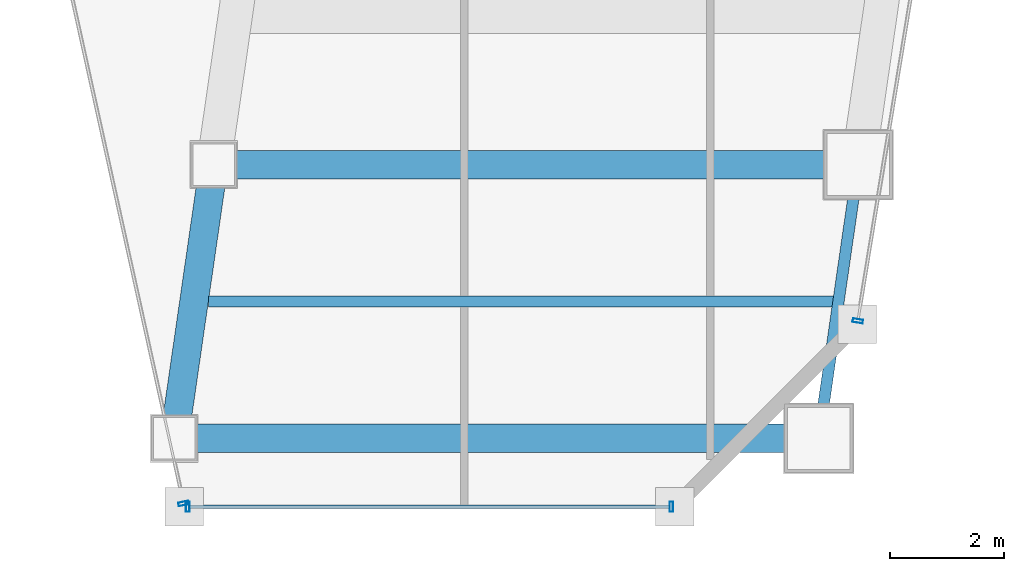
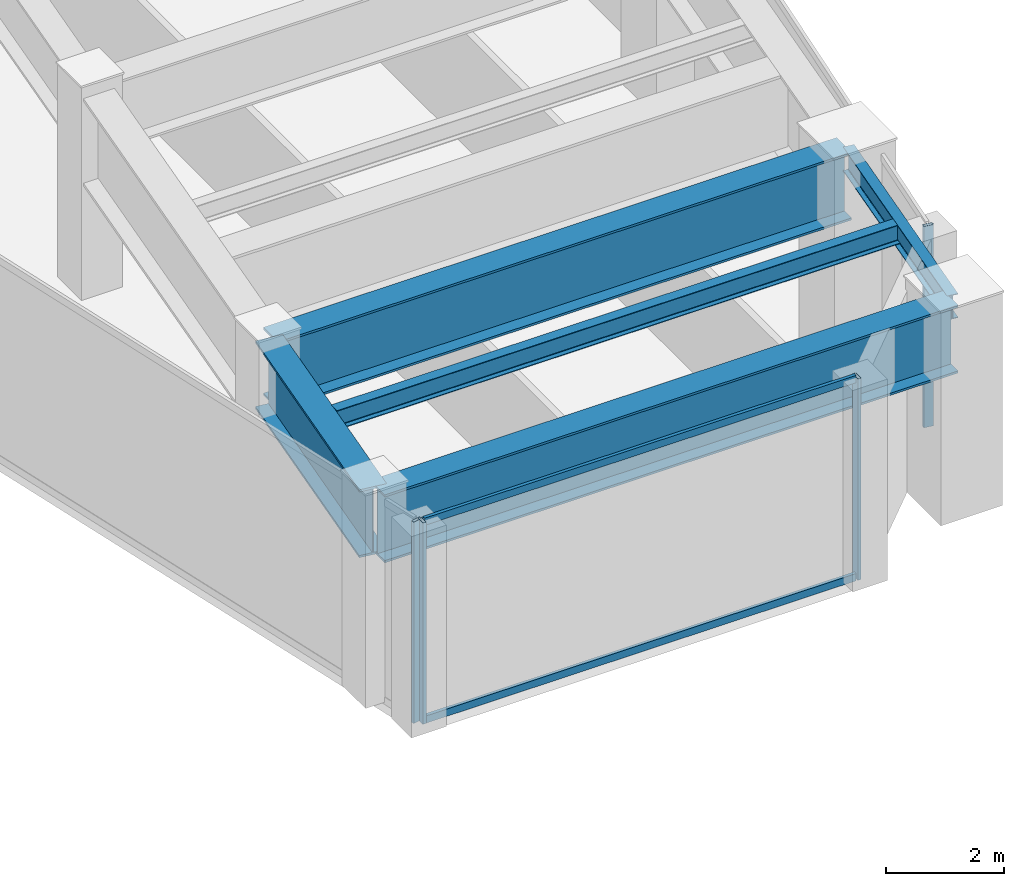
# One storey, part 16 of 40: 6 members, 5 beams, 3 elements without a shape of their own.
"""IFC4 building model written with IfcOpenShell, lengths in metres."""

from ifc_helpers import new_model, si_unit, direction, frame, origin, origin_2d, place, context, subcontext, project, spatial, hollow_rectangle, i_section, extrude, material, material_profile, profile_set, type_object, element, aggregate, save


model = new_model("IFC4")

# Units and contexts
model_context = context("Model", 3, precision=1e-05, world=origin(), true_north=direction((0.0, 1.0)))
body_context = subcontext(model_context, "Body", "Model", "MODEL_VIEW")
ifc_project = project(units=[si_unit("LENGTHUNIT", "METRE"), si_unit("AREAUNIT", "SQUARE_METRE"), si_unit("VOLUMEUNIT", "CUBIC_METRE"), si_unit("PLANEANGLEUNIT", "RADIAN"), si_unit("MASSUNIT", "GRAM", prefix="KILO")], contexts=[model_context])

# Site, building, storey
site_placement = place(None, origin())
site = spatial("IfcSite", under=ifc_project, at=site_placement, CompositionType="ELEMENT")
building_placement = place(site_placement, origin())
building = spatial("IfcBuilding", under=site, at=building_placement, Name="Saevonmaru Cultural Tower", CompositionType="ELEMENT")
storey_placement = place(building_placement, frame((0.0, 0.0, 97.199951171875)))
storey = spatial("IfcBuildingStorey", under=building, at=storey_placement, Name="L20", CompositionType="ELEMENT", Elevation=97.199951171875)

# Beams
ifc_material_1 = material(Name="Steel SM355", Category="steel")
ifc_material_profile_1 = material_profile(ifc_material_1, i_section(OverallWidth=0.199951171875, OverallDepth=0.39990234375, WebThickness=0.008056640625, FlangeThickness=0.012939453125, FilletRadius=0.01611328125, at=origin_2d()), Name="H-400x200x8x13")
ifc_profile_set_1 = profile_set([ifc_material_profile_1], Name="Steel SM355")
beam_type_1 = type_object("IfcBeamType", Name="BM-J-H400", PredefinedType="JOIST", material=ifc_profile_set_1)
beam_1_placement = place(storey_placement, frame((36.827880859375, 5.60009765625, 3.949951171875), z_axis=(1.0, 0.0, 0.0), x_axis=(0.0, 1.0, 0.0)))
element("IfcBeam", 1, at=beam_1_placement, inside=storey, type_object=beam_type_1, Name="L20 East Wing Floor Joist 1", PredefinedType="JOIST", context=body_context, shape_type="SweptSolid", body=[
    extrude(i_section(OverallWidth=0.199951171875, OverallDepth=0.39990234375, WebThickness=0.008056640625, FlangeThickness=0.012939453125, FilletRadius=0.01611328125, at=origin_2d()), origin(), (0.0, 0.0, 1.0), 10.982177734375),
])
ifc_material_profile_2 = material_profile(ifc_material_1, i_section(OverallWidth=0.199951171875, OverallDepth=0.5, WebThickness=0.010009765625, FlangeThickness=0.01611328125, FilletRadius=0.02001953125, at=origin_2d()), Name="H-500x200x10x16")
ifc_profile_set_2 = profile_set([ifc_material_profile_2], Name="Steel SM355")
beam_type_2 = type_object("IfcBeamType", Name="BM-SP-H500", PredefinedType="SPANDREL", material=ifc_profile_set_2)
beam_2_placement = place(storey_placement, frame((47.531494140625, 3.259521484375, 3.900146484375), z_axis=(0.14313379491, 0.989703347855, 0.0), x_axis=(-0.989703347855, 0.14313379491, 0.0)))
element("IfcBeam", 2, at=beam_2_placement, inside=storey, type_object=beam_type_2, Name="L20 East Splayed Spandrel 1", PredefinedType="SPANDREL", context=body_context, shape_type="SweptSolid", body=[
    extrude(i_section(OverallWidth=0.199951171875, OverallDepth=0.5, WebThickness=0.010009765625, FlangeThickness=0.01611328125, FilletRadius=0.02001953125, at=origin_2d()), origin(), (0.0, 0.0, 1.0), 4.729736328125),
])
ifc_material_2 = material(Name="Steel HSA600 (600 MPa)", Category="steel")
ifc_material_profile_3 = material_profile(ifc_material_2, i_section(OverallWidth=0.5, OverallDepth=1.39990234375, WebThickness=0.02392578125, FlangeThickness=0.044921875, at=origin_2d()), Name="PG-1400x500x24x45")
ifc_profile_set_3 = profile_set([ifc_material_profile_3], Name="Steel HSA600 (600 MPa)")
beam_type_3 = type_object("IfcBeamType", Name="BM-TG-PG1400", PredefinedType="BEAM", material=ifc_profile_set_3)
beam_3_placement = place(storey_placement, frame((36.231689453125, 3.259521484375, 3.449951171875), z_axis=(0.143083234893, 0.989710658674, 0.0), x_axis=(-0.989710658674, 0.143083234893, 0.0)))
element("IfcBeam", 3, at=beam_3_placement, inside=storey, type_object=beam_type_3, Name="L20 East Atrium Girder 1", PredefinedType="BEAM", context=body_context, shape_type="SweptSolid", body=[
    extrude(i_section(OverallWidth=0.5, OverallDepth=1.39990234375, WebThickness=0.02392578125, FlangeThickness=0.044921875, at=origin_2d()), origin(), (0.0, 0.0, 1.0), 4.729736328125),
])
for number, where, z_axis, x_axis, name in (
    (4, (36.282958984375, 3.199951171875, 3.449951171875), (1.0, 0.0, 0.0), (0.0, 1.0, 0.0), "L20 East Wing Transverse Girder 1"),
    (5, (36.97705078125, 8.0, 3.449951171875), (1.0, 0.0, 0.0), (0.0, 1.0, 0.0), "L20 East Wing Transverse Girder 2"),
):
    element("IfcBeam", number, at=place(storey_placement, frame(where, z_axis=z_axis, x_axis=x_axis)), inside=storey, type_object=beam_type_3, Name=name, PredefinedType="BEAM", context=body_context, shape_type="SweptSolid", body=[
        extrude(i_section(OverallWidth=0.5, OverallDepth=1.39990234375, WebThickness=0.02392578125, FlangeThickness=0.044921875, at=origin_2d()), origin(), (0.0, 0.0, 1.0), 11.179931640625),
    ])

# Curtain wall, member
ifc_material_3 = material(Name="Satin Bronze Anodised Aluminium", Category="aluminium")
curtain_wall_type = type_object("IfcCurtainWallType", Name="CW-TYP-A", PredefinedType="NOTDEFINED", material=ifc_material_3)
curtain_wall_1_placement = place(storey_placement, origin())
curtain_wall_1 = element("IfcCurtainWall", 6, at=curtain_wall_1_placement, inside=storey, type_object=curtain_wall_type, Name="L20 Unitised Curtain Wall E5", PredefinedType="NOTDEFINED")
ifc_material_profile_4 = material_profile(ifc_material_3, hollow_rectangle(XDim=0.06494140625, YDim=0.179931640625, WallThickness=0.00390625, at=origin_2d()), Name="ALU-MULL-180x65x4")
ifc_profile_set_4 = profile_set([ifc_material_profile_4], Name="Satin Bronze Anodised Aluminium")
member_type_1 = type_object("IfcMemberType", Name="ML-CW-180x65", PredefinedType="MULLION", material=ifc_profile_set_4)
member_1_placement = place(storey_placement, frame((36.38720703125, 2.05859375, 0.0), z_axis=(0.0, 0.0, 1.0), x_axis=(0.215413319953, -0.976522965212, 0.0)))
member_1 = element("IfcMember", 7, at=member_1_placement, type_object=member_type_1, Name="CW-TW-L20-E5 mullion 2", PredefinedType="MULLION", context=body_context, shape_type="SweptSolid", body=[
    extrude(hollow_rectangle(XDim=0.06494140625, YDim=0.179931640625, WallThickness=0.00390625, at=origin_2d()), origin(), (0.0, 0.0, 1.0), 4.150146484375),
])
aggregate(curtain_wall_1, [member_1])

# Curtain wall, members
curtain_wall_2_placement = place(storey_placement, origin())
curtain_wall_2 = element("IfcCurtainWall", 8, at=curtain_wall_2_placement, inside=storey, type_object=curtain_wall_type, Name="L20 Unitised Curtain Wall E6", PredefinedType="NOTDEFINED")
member_2_placement = place(storey_placement, frame((36.4599609375, 2.0, 0.0), z_axis=(0.0, 0.0, 1.0), x_axis=(1.0, 0.0, 0.0)))
member_2 = element("IfcMember", 9, at=member_2_placement, type_object=member_type_1, Name="CW-TW-L20-E6 mullion 1", PredefinedType="MULLION", context=body_context, shape_type="SweptSolid", body=[
    extrude(hollow_rectangle(XDim=0.06494140625, YDim=0.179931640625, WallThickness=0.00390625, at=origin_2d()), origin(), (0.0, 0.0, 1.0), 4.150146484375),
])
member_3_placement = place(storey_placement, frame((44.93994140625, 2.0, 0.0), z_axis=(0.0, 0.0, 1.0), x_axis=(1.0, 0.0, 0.0)))
member_3 = element("IfcMember", 10, at=member_3_placement, type_object=member_type_1, Name="CW-TW-L20-E6 mullion 2", PredefinedType="MULLION", context=body_context, shape_type="SweptSolid", body=[
    extrude(hollow_rectangle(XDim=0.06494140625, YDim=0.179931640625, WallThickness=0.00390625, at=origin_2d()), origin(), (0.0, 0.0, 1.0), 4.150146484375),
])

# Curtain wall, member
curtain_wall_3_placement = place(storey_placement, origin())
curtain_wall_3 = element("IfcCurtainWall", 11, at=curtain_wall_3_placement, inside=storey, type_object=curtain_wall_type, Name="L20 Unitised Curtain Wall E8", PredefinedType="NOTDEFINED")
member_4_placement = place(storey_placement, frame((48.209716796875, 5.25927734375, 0.0), z_axis=(0.0, 0.0, 1.0), x_axis=(0.161708868641, 0.986838508472, 0.0)))
member_4 = element("IfcMember", 12, at=member_4_placement, type_object=member_type_1, Name="CW-TW-L20-E8 mullion 1", PredefinedType="MULLION", context=body_context, shape_type="SweptSolid", body=[
    extrude(hollow_rectangle(XDim=0.06494140625, YDim=0.179931640625, WallThickness=0.00390625, at=origin_2d()), origin(), (0.0, 0.0, 1.0), 4.150146484375),
])
aggregate(curtain_wall_3, [member_4])

# Member
ifc_material_profile_5 = material_profile(ifc_material_3, hollow_rectangle(XDim=0.06494140625, YDim=0.14990234375, WallThickness=0.00390625, at=origin_2d()), Name="ALU-TRAN-150x65x4")
ifc_profile_set_5 = profile_set([ifc_material_profile_5], Name="Satin Bronze Anodised Aluminium")
member_type_2 = type_object("IfcMemberType", Name="TR-CW-150x65", PredefinedType="USERDEFINED", material=ifc_profile_set_5)
member_5_placement = place(storey_placement, frame((36.492431640625, 2.0, 0.032470703125), z_axis=(1.0, 0.0, 0.0), x_axis=(0.0, 1.0, 0.0)))
member_5 = element("IfcMember", 13, at=member_5_placement, type_object=member_type_2, Name="CW-TW-L20-E6 transom 1.1", ObjectType="TRANSOM", PredefinedType="USERDEFINED", context=body_context, shape_type="SweptSolid", body=[
    extrude(hollow_rectangle(XDim=0.06494140625, YDim=0.14990234375, WallThickness=0.00390625, at=origin_2d()), origin(), (0.0, 0.0, 1.0), 8.4150390625),
])

member_6_placement = place(storey_placement, frame((36.492431640625, 2.0, 4.117431640625), z_axis=(1.0, 0.0, 0.0), x_axis=(0.0, 1.0, 0.0)))
member_6 = element("IfcMember", 14, at=member_6_placement, type_object=member_type_2, Name="CW-TW-L20-E6 transom 1.2", ObjectType="TRANSOM", PredefinedType="USERDEFINED", context=body_context, shape_type="SweptSolid", body=[
    extrude(hollow_rectangle(XDim=0.06494140625, YDim=0.14990234375, WallThickness=0.00390625, at=origin_2d()), origin(), (0.0, 0.0, 1.0), 8.4150390625),
])

aggregate(curtain_wall_2, [member_2, member_3, member_5, member_6])

save(model, "model.ifc")
